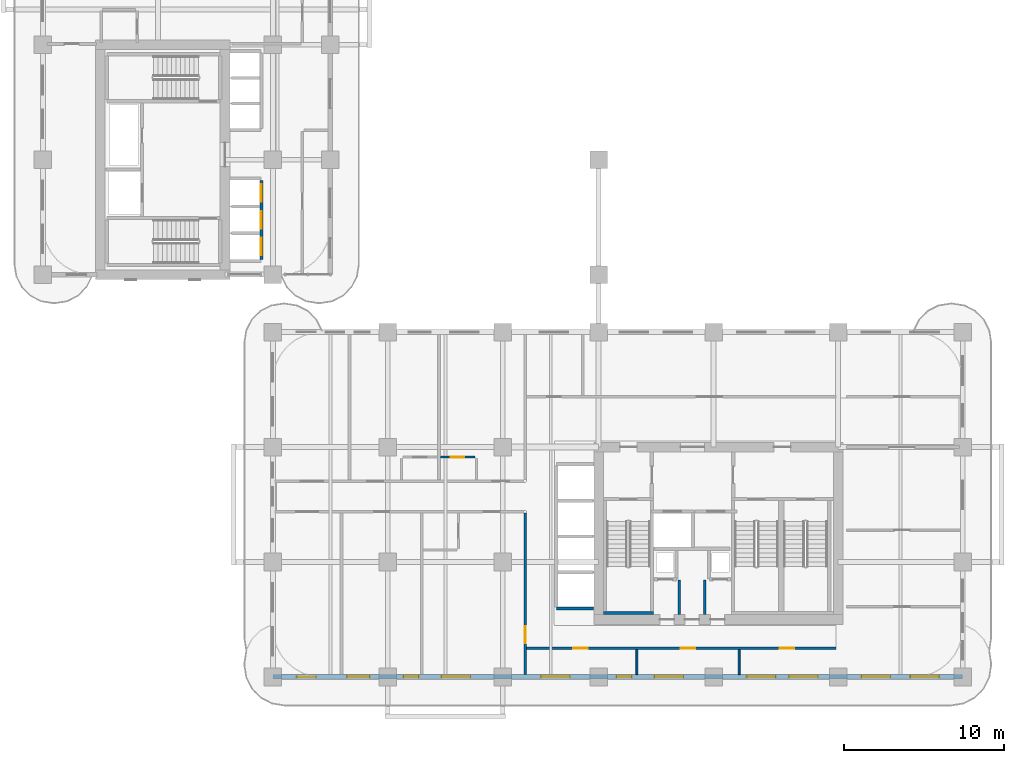
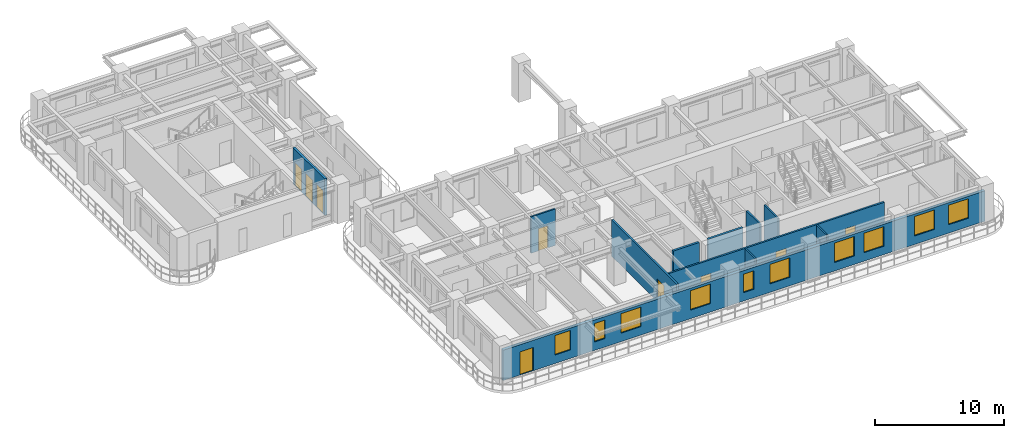
# One storey, part 7 of 18: 11 walls, 10 windows, 9 doors, 19 openings.
"""IFC4 building model written with IfcOpenShell, lengths in metres."""

from ifc_helpers import new_model, si_unit, derived_unit, direction, frame, frame_2d, origin, place, context, subcontext, project, spatial, rectangle, extrude, source, transform, mapped, material, layer, layer_set, type_object, type_shapes, element, fill, save


model = new_model("IFC4")

# Units and contexts
model_context = context("Model", 3, precision=1e-05, world=origin(), true_north=direction((0.0, 1.0)))
body_context = subcontext(model_context, "Body", "Model", "MODEL_VIEW")
ifc_project = project(units=[si_unit("LENGTHUNIT", "METRE"), si_unit("AREAUNIT", "SQUARE_METRE"), si_unit("VOLUMEUNIT", "CUBIC_METRE"), si_unit("PLANEANGLEUNIT", "RADIAN"), si_unit("MASSUNIT", "GRAM", prefix="KILO"), si_unit("THERMODYNAMICTEMPERATUREUNIT", "KELVIN"), si_unit("POWERUNIT", "WATT"), derived_unit("THERMALTRANSMITTANCEUNIT", [(si_unit("POWERUNIT", "WATT"), 1), (si_unit("AREAUNIT", "SQUARE_METRE"), -1), (si_unit("THERMODYNAMICTEMPERATUREUNIT", "KELVIN"), -1)])], contexts=[model_context])

# Site, building, storey
site_placement = place(None, origin())
site = spatial("IfcSite", under=ifc_project, at=site_placement, CompositionType="ELEMENT")
building_placement = place(site_placement, origin())
building = spatial("IfcBuilding", under=site, at=building_placement, Name="Zahravan Archway Hotel and Residences", CompositionType="ELEMENT")
storey_placement = place(building_placement, frame((0.0, 0.0, 50.89990234375)))
storey = spatial("IfcBuildingStorey", under=building, at=storey_placement, Name="L11", CompositionType="ELEMENT", Elevation=50.89990234375)

# Wall, openings, door, windows
ifc_material_1 = material(Name="Honed Red-Ochre Sandstone & Insulated Block", Category="masonry")
ifc_layer_1 = layer(ifc_material_1, 0.280029296875, Name="Honed Red-Ochre Sandstone & Insulated Block", Category="masonry")
ifc_layer_set_1 = layer_set([ifc_layer_1], Name="Honed Red-Ochre Sandstone & Insulated Block")
wall_type_1 = type_object("IfcWallType", Name="EW-LOG-280", PredefinedType="SOLIDWALL", material=ifc_layer_set_1)
wall_1_placement = place(storey_placement, frame((14.39990234375, 0.0, 0.0), z_axis=(0.0, 0.0, 1.0), x_axis=(1.0, 0.0, 0.0)))
wall_1 = element("IfcWall", 1, at=wall_1_placement, inside=storey, type_object=wall_type_1, Name="L11 Exterior Sandstone Wall WA-S", PredefinedType="SOLIDWALL", context=body_context, shape_type="SweptSolid", body=[
    extrude(rectangle(XDim=43.2001953125, YDim=0.280029296875, at=frame_2d((21.60009765625, 0.0))), origin(), (0.0, 0.0, 1.0), 2.885009765625),
])
opening_1_placement = place(wall_1_placement, frame((1.5, 0.0, 0.0)))
opening_1 = element("IfcOpeningElement", 2, at=opening_1_placement, cuts=wall_1, Name="Opening ED-BL1", PredefinedType="OPENING", context=body_context, shape_type="SweptSolid", body=[
    extrude(rectangle(XDim=1.199951171875, YDim=2.199951171875, at=frame_2d((0.60009765625, 1.10009765625))), frame((0.0, 0.14990234375, 0.0), z_axis=(0.0, -1.0, 0.0), x_axis=(1.0, 0.0, 0.0)), (0.0, 0.0, 1.0), 0.300048828125),
])
opening_2_placement = place(wall_1_placement, frame((4.654052734375, 0.0, 0.800048828125)))
opening_2 = element("IfcOpeningElement", 3, at=opening_2_placement, cuts=wall_1, Name="Opening W-03", PredefinedType="OPENING", context=body_context, shape_type="SweptSolid", body=[
    extrude(rectangle(XDim=1.39990234375, YDim=1.85009765625, at=frame_2d((0.699951171875, 0.925048828125))), frame((0.0, 0.14990234375, 0.0), z_axis=(0.0, -1.0, 0.0), x_axis=(1.0, 0.0, 0.0)), (0.0, 0.0, 1.0), 0.300048828125),
])
opening_3_placement = place(wall_1_placement, frame((8.180908203125, 0.0, 0.800048828125)))
opening_3 = element("IfcOpeningElement", 4, at=opening_3_placement, cuts=wall_1, Name="Opening W-04", PredefinedType="OPENING", context=body_context, shape_type="SweptSolid", body=[
    extrude(rectangle(XDim=0.949951171875, YDim=1.75, at=frame_2d((0.47509765625, 0.875))), frame((0.0, 0.14990234375, 0.0), z_axis=(0.0, -1.0, 0.0), x_axis=(1.0, 0.0, 0.0)), (0.0, 0.0, 1.0), 0.300048828125),
])
opening_4_placement = place(wall_1_placement, frame((10.56396484375, 0.0, 0.800048828125)))
opening_4 = element("IfcOpeningElement", 5, at=opening_4_placement, cuts=wall_1, Name="Opening W-02", PredefinedType="OPENING", context=body_context, shape_type="SweptSolid", body=[
    extrude(rectangle(XDim=1.800048828125, YDim=1.85009765625, at=frame_2d((0.89990234375, 0.925048828125))), frame((0.0, 0.14990234375, 0.0), z_axis=(0.0, -1.0, 0.0), x_axis=(1.0, 0.0, 0.0)), (0.0, 0.0, 1.0), 0.300048828125),
])
opening_5_placement = place(wall_1_placement, frame((16.803955078125, 0.0, 0.800048828125)))
opening_5 = element("IfcOpeningElement", 6, at=opening_5_placement, cuts=wall_1, Name="Opening W-02", PredefinedType="OPENING", context=body_context, shape_type="SweptSolid", body=[
    extrude(rectangle(XDim=1.800048828125, YDim=1.85009765625, at=frame_2d((0.89990234375, 0.925048828125))), frame((0.0, 0.14990234375, 0.0), z_axis=(0.0, -1.0, 0.0), x_axis=(1.0, 0.0, 0.0)), (0.0, 0.0, 1.0), 0.300048828125),
])
opening_6_placement = place(wall_1_placement, frame((21.52099609375, 0.0, 0.800048828125)))
opening_6 = element("IfcOpeningElement", 7, at=opening_6_placement, cuts=wall_1, Name="Opening W-04", PredefinedType="OPENING", context=body_context, shape_type="SweptSolid", body=[
    extrude(rectangle(XDim=0.949951171875, YDim=1.75, at=frame_2d((0.47509765625, 0.875))), frame((0.0, 0.14990234375, 0.0), z_axis=(0.0, -1.0, 0.0), x_axis=(1.0, 0.0, 0.0)), (0.0, 0.0, 1.0), 0.300048828125),
])
opening_7_placement = place(wall_1_placement, frame((23.904052734375, 0.0, 0.800048828125)))
opening_7 = element("IfcOpeningElement", 8, at=opening_7_placement, cuts=wall_1, Name="Opening W-02", PredefinedType="OPENING", context=body_context, shape_type="SweptSolid", body=[
    extrude(rectangle(XDim=1.800048828125, YDim=1.85009765625, at=frame_2d((0.89990234375, 0.925048828125))), frame((0.0, 0.14990234375, 0.0), z_axis=(0.0, -1.0, 0.0), x_axis=(1.0, 0.0, 0.0)), (0.0, 0.0, 1.0), 0.300048828125),
])
opening_8_placement = place(wall_1_placement, frame((29.680908203125, 0.0, 0.800048828125)))
opening_8 = element("IfcOpeningElement", 9, at=opening_8_placement, cuts=wall_1, Name="Opening W-02", PredefinedType="OPENING", context=body_context, shape_type="SweptSolid", body=[
    extrude(rectangle(XDim=1.800048828125, YDim=1.85009765625, at=frame_2d((0.89990234375, 0.925048828125))), frame((0.0, 0.14990234375, 0.0), z_axis=(0.0, -1.0, 0.0), x_axis=(1.0, 0.0, 0.0)), (0.0, 0.0, 1.0), 0.300048828125),
])
opening_9_placement = place(wall_1_placement, frame((32.326904296875, 0.0, 0.800048828125)))
opening_9 = element("IfcOpeningElement", 10, at=opening_9_placement, cuts=wall_1, Name="Opening W-02", PredefinedType="OPENING", context=body_context, shape_type="SweptSolid", body=[
    extrude(rectangle(XDim=1.800048828125, YDim=1.85009765625, at=frame_2d((0.89990234375, 0.925048828125))), frame((0.0, 0.14990234375, 0.0), z_axis=(0.0, -1.0, 0.0), x_axis=(1.0, 0.0, 0.0)), (0.0, 0.0, 1.0), 0.300048828125),
])
opening_10_placement = place(wall_1_placement, frame((36.875, 0.0, 0.800048828125)))
opening_10 = element("IfcOpeningElement", 11, at=opening_10_placement, cuts=wall_1, Name="Opening W-02", PredefinedType="OPENING", context=body_context, shape_type="SweptSolid", body=[
    extrude(rectangle(XDim=1.800048828125, YDim=1.85009765625, at=frame_2d((0.89990234375, 0.925048828125))), frame((0.0, 0.14990234375, 0.0), z_axis=(0.0, -1.0, 0.0), x_axis=(1.0, 0.0, 0.0)), (0.0, 0.0, 1.0), 0.300048828125),
])
opening_11_placement = place(wall_1_placement, frame((39.925048828125, 0.0, 0.800048828125)))
opening_11 = element("IfcOpeningElement", 12, at=opening_11_placement, cuts=wall_1, Name="Opening W-02", PredefinedType="OPENING", context=body_context, shape_type="SweptSolid", body=[
    extrude(rectangle(XDim=1.800048828125, YDim=1.85009765625, at=frame_2d((0.89990234375, 0.925048828125))), frame((0.0, 0.14990234375, 0.0), z_axis=(0.0, -1.0, 0.0), x_axis=(1.0, 0.0, 0.0)), (0.0, 0.0, 1.0), 0.300048828125),
])
ifc_material_2 = material(Name="Bronze-Anodized Glazed Aluminium", Category="aluminium")
door_type_1 = type_object("IfcDoorType", Name="ED-BALC-1200", OperationType="SLIDING_TO_LEFT", PredefinedType="DOOR", material=ifc_material_2)
shared_shape_1 = source(origin(), body_context, "Body", "SweptSolid", [
    extrude(rectangle(XDim=1.199951171875, YDim=2.199951171875, at=frame_2d((0.60009765625, 1.10009765625))), frame((0.0, 0.02490234375, 0.0), z_axis=(0.0, -1.0, 0.0), x_axis=(1.0, 0.0, 0.0)), (0.0, 0.0, 1.0), 0.050048828125),
])
type_shapes(door_type_1, [shared_shape_1])
door_1_placement = place(opening_1_placement, origin())
door_1 = element("IfcDoor", 13, at=door_1_placement, inside=storey, type_object=door_type_1, Name="L11 Outdoor Access Sliding Door (SLB-BAL-L11-SA)", OperationType="SLIDING_TO_LEFT", OverallHeight=2.199951171875, OverallWidth=1.199951171875, PredefinedType="DOOR", context=body_context, shape_type="MappedRepresentation", body=[
    mapped(shared_shape_1, transform((0.0, 0.0, 0.0), scale=1.0)),
])
fill(opening_1, door_1)
ifc_material_3 = material(Name="Bronze-Anodized Thermal-Break Aluminium & Low-E Glass", Category="aluminium")
window_type_1 = type_object("IfcWindowType", Name="WIN-TWR-1400", PartitioningType="SINGLE_PANEL", PredefinedType="WINDOW", material=ifc_material_3)
shared_shape_2 = source(origin(), body_context, "Body", "SweptSolid", [
    extrude(rectangle(XDim=1.39990234375, YDim=1.85009765625, at=frame_2d((0.699951171875, 0.925048828125))), frame((0.0, 0.030029296875, 0.0), z_axis=(0.0, -1.0, 0.0), x_axis=(1.0, 0.0, 0.0)), (0.0, 0.0, 1.0), 0.06005859375),
])
type_shapes(window_type_1, [shared_shape_2])
window_1_placement = place(opening_2_placement, origin())
window_1 = element("IfcWindow", 14, at=window_1_placement, inside=storey, type_object=window_type_1, Name="L11 Loggia Window 01", OverallHeight=1.85009765625, OverallWidth=1.39990234375, PartitioningType="SINGLE_PANEL", PredefinedType="WINDOW", context=body_context, shape_type="MappedRepresentation", body=[
    mapped(shared_shape_2, transform((0.0, 0.0, 0.0), scale=1.0)),
])
fill(opening_2, window_1)
window_type_2 = type_object("IfcWindowType", Name="WIN-NAR-950", PartitioningType="SINGLE_PANEL", PredefinedType="WINDOW", material=ifc_material_3)
shared_shape_3 = source(origin(), body_context, "Body", "SweptSolid", [
    extrude(rectangle(XDim=0.949951171875, YDim=1.75, at=frame_2d((0.47509765625, 0.875))), frame((0.0, 0.030029296875, 0.0), z_axis=(0.0, -1.0, 0.0), x_axis=(1.0, 0.0, 0.0)), (0.0, 0.0, 1.0), 0.06005859375),
])
type_shapes(window_type_2, [shared_shape_3])
window_2_placement = place(opening_3_placement, origin())
window_2 = element("IfcWindow", 15, at=window_2_placement, inside=storey, type_object=window_type_2, Name="L11 Loggia Window 02", OverallHeight=1.75, OverallWidth=0.949951171875, PartitioningType="SINGLE_PANEL", PredefinedType="WINDOW", context=body_context, shape_type="MappedRepresentation", body=[
    mapped(shared_shape_3, transform((0.0, 0.0, 0.0), scale=1.0)),
])
fill(opening_3, window_2)
window_3_placement = place(opening_6_placement, origin())
window_3 = element("IfcWindow", 16, at=window_3_placement, inside=storey, type_object=window_type_2, Name="L11 Loggia Window 05", OverallHeight=1.75, OverallWidth=0.949951171875, PartitioningType="SINGLE_PANEL", PredefinedType="WINDOW", context=body_context, shape_type="MappedRepresentation", body=[
    mapped(shared_shape_3, transform((0.0, 0.0, 0.0), scale=1.0)),
])
fill(opening_6, window_3)
window_type_3 = type_object("IfcWindowType", Name="WIN-TWR-1800", PartitioningType="DOUBLE_PANEL_VERTICAL", PredefinedType="WINDOW", material=ifc_material_3)
shared_shape_4 = source(origin(), body_context, "Body", "SweptSolid", [
    extrude(rectangle(XDim=1.800048828125, YDim=1.85009765625, at=frame_2d((0.89990234375, 0.925048828125))), frame((0.0, 0.030029296875, 0.0), z_axis=(0.0, -1.0, 0.0), x_axis=(1.0, 0.0, 0.0)), (0.0, 0.0, 1.0), 0.06005859375),
])
type_shapes(window_type_3, [shared_shape_4])
window_4_placement = place(opening_4_placement, origin())
window_4 = element("IfcWindow", 17, at=window_4_placement, inside=storey, type_object=window_type_3, Name="L11 Loggia Window 03", OverallHeight=1.85009765625, OverallWidth=1.800048828125, PartitioningType="DOUBLE_PANEL_VERTICAL", PredefinedType="WINDOW", context=body_context, shape_type="MappedRepresentation", body=[
    mapped(shared_shape_4, transform((0.0, 0.0, 0.0), scale=1.0)),
])
fill(opening_4, window_4)
window_5_placement = place(opening_5_placement, origin())
window_5 = element("IfcWindow", 18, at=window_5_placement, inside=storey, type_object=window_type_3, Name="L11 Loggia Window 04", OverallHeight=1.85009765625, OverallWidth=1.800048828125, PartitioningType="DOUBLE_PANEL_VERTICAL", PredefinedType="WINDOW", context=body_context, shape_type="MappedRepresentation", body=[
    mapped(shared_shape_4, transform((0.0, 0.0, 0.0), scale=1.0)),
])
fill(opening_5, window_5)
window_6_placement = place(opening_7_placement, origin())
window_6 = element("IfcWindow", 19, at=window_6_placement, inside=storey, type_object=window_type_3, Name="L11 Loggia Window 06", OverallHeight=1.85009765625, OverallWidth=1.800048828125, PartitioningType="DOUBLE_PANEL_VERTICAL", PredefinedType="WINDOW", context=body_context, shape_type="MappedRepresentation", body=[
    mapped(shared_shape_4, transform((0.0, 0.0, 0.0), scale=1.0)),
])
fill(opening_7, window_6)
window_7_placement = place(opening_8_placement, origin())
window_7 = element("IfcWindow", 20, at=window_7_placement, inside=storey, type_object=window_type_3, Name="L11 Loggia Window 07", OverallHeight=1.85009765625, OverallWidth=1.800048828125, PartitioningType="DOUBLE_PANEL_VERTICAL", PredefinedType="WINDOW", context=body_context, shape_type="MappedRepresentation", body=[
    mapped(shared_shape_4, transform((0.0, 0.0, 0.0), scale=1.0)),
])
fill(opening_8, window_7)
window_8_placement = place(opening_9_placement, origin())
window_8 = element("IfcWindow", 21, at=window_8_placement, inside=storey, type_object=window_type_3, Name="L11 Loggia Window 08", OverallHeight=1.85009765625, OverallWidth=1.800048828125, PartitioningType="DOUBLE_PANEL_VERTICAL", PredefinedType="WINDOW", context=body_context, shape_type="MappedRepresentation", body=[
    mapped(shared_shape_4, transform((0.0, 0.0, 0.0), scale=1.0)),
])
fill(opening_9, window_8)
window_9_placement = place(opening_10_placement, origin())
window_9 = element("IfcWindow", 22, at=window_9_placement, inside=storey, type_object=window_type_3, Name="L11 Loggia Window 09", OverallHeight=1.85009765625, OverallWidth=1.800048828125, PartitioningType="DOUBLE_PANEL_VERTICAL", PredefinedType="WINDOW", context=body_context, shape_type="MappedRepresentation", body=[
    mapped(shared_shape_4, transform((0.0, 0.0, 0.0), scale=1.0)),
])
fill(opening_10, window_9)
window_10_placement = place(opening_11_placement, origin())
window_10 = element("IfcWindow", 23, at=window_10_placement, inside=storey, type_object=window_type_3, Name="L11 Loggia Window 10", OverallHeight=1.85009765625, OverallWidth=1.800048828125, PartitioningType="DOUBLE_PANEL_VERTICAL", PredefinedType="WINDOW", context=body_context, shape_type="MappedRepresentation", body=[
    mapped(shared_shape_4, transform((0.0, 0.0, 0.0), scale=1.0)),
])
fill(opening_11, window_10)

# Wall, opening, door
ifc_material_4 = material(Name="Fire-Rated Gypsum & Concrete Block", Category="concrete")
ifc_layer_2 = layer(ifc_material_4, 0.159912109375, Name="Fire-Rated Gypsum & Concrete Block", Category="concrete")
ifc_layer_set_2 = layer_set([ifc_layer_2], Name="Fire-Rated Gypsum & Concrete Block")
wall_type_2 = type_object("IfcWallType", Name="PW-CORR-160", PredefinedType="PARTITIONING", material=ifc_layer_set_2)
wall_2_placement = place(storey_placement, frame((30.199951171875, 0.14794921875, 0.0), z_axis=(0.0, 0.0, 1.0), x_axis=(0.0, 1.0, 0.0)))
wall_2 = element("IfcWall", 24, at=wall_2_placement, inside=storey, type_object=wall_type_2, Name="L11 Partition WA-SRW", PredefinedType="PARTITIONING", context=body_context, shape_type="SweptSolid", body=[
    extrude(rectangle(XDim=10.112060546875, YDim=0.159912109375, at=frame_2d((5.05615234375, 0.0))), origin(), (0.0, 0.0, 1.0), 3.4501953125),
])
opening_12_placement = place(wall_2_placement, frame((1.97705078125, 0.0, 0.0)))
opening_12 = element("IfcOpeningElement", 25, at=opening_12_placement, cuts=wall_2, Name="Opening FD-L2", PredefinedType="OPENING", context=body_context, shape_type="SweptSolid", body=[
    extrude(rectangle(XDim=1.050048828125, YDim=2.14990234375, at=frame_2d((0.52490234375, 1.074951171875))), frame((0.0, 0.08984375, 0.0), z_axis=(0.0, -1.0, 0.0), x_axis=(1.0, 0.0, 0.0)), (0.0, 0.0, 1.0), 0.179931640625),
])
ifc_material_5 = material(Name="Fire-Rated Painted Steel", Category="steel")
door_type_2 = type_object("IfcDoorType", Name="FD-LOBBY-1100", OperationType="NOTDEFINED", PredefinedType="DOOR", material=ifc_material_5)
shared_shape_5 = source(origin(), body_context, "Body", "SweptSolid", [
    extrude(rectangle(XDim=1.050048828125, YDim=2.14990234375, at=frame_2d((0.52490234375, 1.074951171875))), frame((0.0, 0.02490234375, 0.0), z_axis=(0.0, -1.0, 0.0), x_axis=(1.0, 0.0, 0.0)), (0.0, 0.0, 1.0), 0.050048828125),
])
type_shapes(door_type_2, [shared_shape_5])
door_2_placement = place(opening_12_placement, origin())
door_2 = element("IfcDoor", 26, at=door_2_placement, inside=storey, type_object=door_type_2, Name="L11 South Riser Corridor Door", OperationType="SINGLE_SWING_RIGHT", OverallHeight=2.14990234375, OverallWidth=1.050048828125, PredefinedType="DOOR", context=body_context, shape_type="MappedRepresentation", body=[
    mapped(shared_shape_5, transform((0.0, 0.0, 0.0), scale=1.0)),
])
fill(opening_12, door_2)

# Wall, openings, doors
wall_3_placement = place(storey_placement, frame((30.2900390625, 1.800048828125, 0.0), z_axis=(0.0, 0.0, 1.0), x_axis=(1.0, 0.0, 0.0)))
wall_3 = element("IfcWall", 27, at=wall_3_placement, inside=storey, type_object=wall_type_2, Name="L11 Partition WA-SRS", PredefinedType="PARTITIONING", context=body_context, shape_type="SweptSolid", body=[
    extrude(rectangle(XDim=19.369873046875, YDim=0.159912109375, at=frame_2d((9.68505859375, 0.0))), origin(), (0.0, 0.0, 1.0), 3.4501953125),
])
opening_13_placement = place(wall_3_placement, frame((2.916259765625, 0.0, 0.0)))
opening_13 = element("IfcOpeningElement", 28, at=opening_13_placement, cuts=wall_3, Name="Opening D-I2", PredefinedType="OPENING", context=body_context, shape_type="SweptSolid", body=[
    extrude(rectangle(XDim=0.89990234375, YDim=2.14990234375, at=frame_2d((0.449951171875, 1.074951171875))), frame((0.0, 0.08984375, 0.0), z_axis=(0.0, -1.0, 0.0), x_axis=(1.0, 0.0, 0.0)), (0.0, 0.0, 1.0), 0.179931640625),
])
opening_14_placement = place(wall_3_placement, frame((9.659912109375, 0.0, 0.0)))
opening_14 = element("IfcOpeningElement", 29, at=opening_14_placement, cuts=wall_3, Name="Opening D-I2", PredefinedType="OPENING", context=body_context, shape_type="SweptSolid", body=[
    extrude(rectangle(XDim=0.89990234375, YDim=2.14990234375, at=frame_2d((0.449951171875, 1.074951171875))), frame((0.0, 0.08984375, 0.0), z_axis=(0.0, -1.0, 0.0), x_axis=(1.0, 0.0, 0.0)), (0.0, 0.0, 1.0), 0.179931640625),
])
opening_15_placement = place(wall_3_placement, frame((15.860107421875, 0.0, 0.0)))
opening_15 = element("IfcOpeningElement", 30, at=opening_15_placement, cuts=wall_3, Name="Opening D-I2", PredefinedType="OPENING", context=body_context, shape_type="SweptSolid", body=[
    extrude(rectangle(XDim=0.89990234375, YDim=2.14990234375, at=frame_2d((0.449951171875, 1.074951171875))), frame((0.0, 0.08984375, 0.0), z_axis=(0.0, -1.0, 0.0), x_axis=(1.0, 0.0, 0.0)), (0.0, 0.0, 1.0), 0.179931640625),
])
ifc_material_6 = material(Name="Hardwood Veneer Timber", Category="wood")
door_type_3 = type_object("IfcDoorType", Name="ID-INT-900", OperationType="NOTDEFINED", PredefinedType="DOOR", material=ifc_material_6)
shared_shape_6 = source(origin(), body_context, "Body", "SweptSolid", [
    extrude(rectangle(XDim=0.89990234375, YDim=2.14990234375, at=frame_2d((0.449951171875, 1.074951171875))), frame((0.0, 0.02490234375, 0.0), z_axis=(0.0, -1.0, 0.0), x_axis=(1.0, 0.0, 0.0)), (0.0, 0.0, 1.0), 0.050048828125),
])
type_shapes(door_type_3, [shared_shape_6])
door_3_placement = place(opening_13_placement, origin())
door_3 = element("IfcDoor", 31, at=door_3_placement, inside=storey, type_object=door_type_3, Name="L11 South Office Door", OperationType="SINGLE_SWING_LEFT", OverallHeight=2.14990234375, OverallWidth=0.89990234375, PredefinedType="DOOR", context=body_context, shape_type="MappedRepresentation", body=[
    mapped(shared_shape_6, transform((0.0, 0.0, 0.0), scale=1.0)),
])
fill(opening_13, door_3)
door_4_placement = place(opening_14_placement, origin())
door_4 = element("IfcDoor", 32, at=door_4_placement, inside=storey, type_object=door_type_3, Name="L11 South Meeting Door", OperationType="SINGLE_SWING_RIGHT", OverallHeight=2.14990234375, OverallWidth=0.89990234375, PredefinedType="DOOR", context=body_context, shape_type="MappedRepresentation", body=[
    mapped(shared_shape_6, transform((0.0, 0.0, 0.0), scale=1.0)),
])
fill(opening_14, door_4)
door_5_placement = place(opening_15_placement, origin())
door_5 = element("IfcDoor", 33, at=door_5_placement, inside=storey, type_object=door_type_3, Name="L11 South Prayer Alcove Door", OperationType="SINGLE_SWING_LEFT", OverallHeight=2.14990234375, OverallWidth=0.89990234375, PredefinedType="DOOR", context=body_context, shape_type="MappedRepresentation", body=[
    mapped(shared_shape_6, transform((0.0, 0.0, 0.0), scale=1.0)),
])
fill(opening_15, door_5)

# Walls
ifc_material_7 = material(Name="Acoustic Stud Partition")
ifc_layer_3 = layer(ifc_material_7, 0.125, Name="Acoustic Stud Partition")
ifc_layer_set_3 = layer_set([ifc_layer_3], Name="Acoustic Stud Partition")
wall_type_3 = type_object("IfcWallType", Name="PW-INT-125", PredefinedType="PARTITIONING", material=ifc_layer_set_3)
for number, where, z_axis, x_axis, name in (
    (34, (37.199951171875, 0.14794921875, 0.0), (0.0, 0.0, 1.0), (0.0, 1.0, 0.0), "L11 Partition S-DIV2A"),
    (35, (43.60009765625, 0.14794921875, 0.0), (0.0, 0.0, 1.0), (0.0, 1.0, 0.0), "L11 Partition S-DIV2B"),
):
    element("IfcWall", number, at=place(storey_placement, frame(where, z_axis=z_axis, x_axis=x_axis)), inside=storey, type_object=wall_type_3, Name=name, PredefinedType="PARTITIONING", context=body_context, shape_type="SweptSolid", body=[
        extrude(rectangle(XDim=1.56201171875, YDim=0.125, at=frame_2d((0.781005859375, 0.0))), origin(), (0.0, 0.0, 1.0), 3.4501953125),
    ])
ifc_layer_4 = layer(ifc_material_4, 0.199951171875, Name="Fire-Rated Gypsum & Concrete Block", Category="concrete")
ifc_layer_set_4 = layer_set([ifc_layer_4], Name="Fire-Rated Gypsum & Concrete Block")
wall_type_4 = type_object("IfcWallType", Name="PW-SHAFT-200", PredefinedType="PARTITIONING", material=ifc_layer_set_4)
wall_4_placement = place(storey_placement, frame((32.159912109375, 4.280029296875, 0.0), z_axis=(0.0, 0.0, 1.0), x_axis=(1.0, 0.0, 0.0)))
element("IfcWall", 36, at=wall_4_placement, inside=storey, type_object=wall_type_4, Name="L11 Partition B3-S", PredefinedType="PARTITIONING", context=body_context, shape_type="SweptSolid", body=[
    extrude(rectangle(XDim=2.31005859375, YDim=0.199951171875, at=frame_2d((1.155029296875, 0.0))), origin(), (0.0, 0.0, 1.0), 3.4501953125),
])

# Wall, openings, doors
wall_5_placement = place(storey_placement, frame((13.679931640625, 26.159912109375, 0.0), z_axis=(0.0, 0.0, 1.0), x_axis=(0.0, 1.0, 0.0)))
wall_5 = element("IfcWall", 37, at=wall_5_placement, inside=storey, type_object=wall_type_4, Name="L11 Partition B1-E", PredefinedType="PARTITIONING", context=body_context, shape_type="SweptSolid", body=[
    extrude(rectangle(XDim=4.940185546875, YDim=0.199951171875, at=frame_2d((2.47021484375, 0.0))), origin(), (0.0, 0.0, 1.0), 3.4501953125),
])
opening_16_placement = place(wall_5_placement, frame((0.239990234375, 0.0, 0.0)))
opening_16 = element("IfcOpeningElement", 38, at=opening_16_placement, cuts=wall_5, Name="Opening LD", PredefinedType="OPENING", context=body_context, shape_type="SweptSolid", body=[
    extrude(rectangle(XDim=1.10009765625, YDim=2.199951171875, at=frame_2d((0.550048828125, 1.10009765625))), frame((0.0, 0.10986328125, 0.0), z_axis=(0.0, -1.0, 0.0), x_axis=(1.0, 0.0, 0.0)), (0.0, 0.0, 1.0), 0.219970703125),
])
opening_17_placement = place(wall_5_placement, frame((1.919921875, 0.0, 0.0)))
opening_17 = element("IfcOpeningElement", 39, at=opening_17_placement, cuts=wall_5, Name="Opening LD", PredefinedType="OPENING", context=body_context, shape_type="SweptSolid", body=[
    extrude(rectangle(XDim=1.10009765625, YDim=2.199951171875, at=frame_2d((0.550048828125, 1.10009765625))), frame((0.0, 0.10986328125, 0.0), z_axis=(0.0, -1.0, 0.0), x_axis=(1.0, 0.0, 0.0)), (0.0, 0.0, 1.0), 0.219970703125),
])
opening_18_placement = place(wall_5_placement, frame((3.60009765625, 0.0, 0.0)))
opening_18 = element("IfcOpeningElement", 40, at=opening_18_placement, cuts=wall_5, Name="Opening LD", PredefinedType="OPENING", context=body_context, shape_type="SweptSolid", body=[
    extrude(rectangle(XDim=1.10009765625, YDim=2.199951171875, at=frame_2d((0.550048828125, 1.10009765625))), frame((0.0, 0.10986328125, 0.0), z_axis=(0.0, -1.0, 0.0), x_axis=(1.0, 0.0, 0.0)), (0.0, 0.0, 1.0), 0.219970703125),
])
ifc_material_8 = material(Name="Brushed Stainless Steel", Category="steel")
door_type_4 = type_object("IfcDoorType", Name="DR-LIFT-LD", OperationType="SLIDING_TO_LEFT", PredefinedType="DOOR", material=ifc_material_8)
shared_shape_7 = source(origin(), body_context, "Body", "SweptSolid", [
    extrude(rectangle(XDim=1.10009765625, YDim=2.199951171875, at=frame_2d((0.550048828125, 1.10009765625))), frame((0.0, 0.02490234375, 0.0), z_axis=(0.0, -1.0, 0.0), x_axis=(1.0, 0.0, 0.0)), (0.0, 0.0, 1.0), 0.050048828125),
])
type_shapes(door_type_4, [shared_shape_7])
door_6_placement = place(opening_16_placement, origin())
door_6 = element("IfcDoor", 41, at=door_6_placement, inside=storey, type_object=door_type_4, Name="L11 Lift LP-1 Sliding Landing Door", OperationType="SLIDING_TO_LEFT", OverallHeight=2.199951171875, OverallWidth=1.10009765625, PredefinedType="DOOR", context=body_context, shape_type="MappedRepresentation", body=[
    mapped(shared_shape_7, transform((0.0, 0.0, 0.0), scale=1.0)),
])
fill(opening_16, door_6)
door_7_placement = place(opening_17_placement, origin())
door_7 = element("IfcDoor", 42, at=door_7_placement, inside=storey, type_object=door_type_4, Name="L11 Lift LP-2 Sliding Landing Door", OperationType="SLIDING_TO_LEFT", OverallHeight=2.199951171875, OverallWidth=1.10009765625, PredefinedType="DOOR", context=body_context, shape_type="MappedRepresentation", body=[
    mapped(shared_shape_7, transform((0.0, 0.0, 0.0), scale=1.0)),
])
fill(opening_17, door_7)
door_8_placement = place(opening_18_placement, origin())
door_8 = element("IfcDoor", 43, at=door_8_placement, inside=storey, type_object=door_type_4, Name="L11 Lift LP-3 Sliding Landing Door", OperationType="SLIDING_TO_LEFT", OverallHeight=2.199951171875, OverallWidth=1.10009765625, PredefinedType="DOOR", context=body_context, shape_type="MappedRepresentation", body=[
    mapped(shared_shape_7, transform((0.0, 0.0, 0.0), scale=1.0)),
])
fill(opening_18, door_8)

# Walls
ifc_material_9 = material(Name="Moisture-Resistant Blockwork", Category="masonry")
ifc_layer_5 = layer(ifc_material_9, 0.139892578125, Name="Moisture-Resistant Blockwork", Category="masonry")
ifc_layer_set_5 = layer_set([ifc_layer_5], Name="Moisture-Resistant Blockwork")
wall_type_5 = type_object("IfcWallType", Name="PW-WET-140", PredefinedType="PARTITIONING", material=ifc_layer_set_5)
for number, where, z_axis, x_axis, name in (
    (44, (39.85009765625, 3.919921875, 0.0), (0.0, 0.0, 1.0), (0.0, 1.0, 0.0), "L11 Partition CA-CV1A"),
    (45, (41.449951171875, 3.919921875, 0.0), (0.0, 0.0, 1.0), (0.0, 1.0, 0.0), "L11 Partition CA-CV1B"),
):
    element("IfcWall", number, at=place(storey_placement, frame(where, z_axis=z_axis, x_axis=x_axis)), inside=storey, type_object=wall_type_5, Name=name, PredefinedType="PARTITIONING", context=body_context, shape_type="SweptSolid", body=[
        extrude(rectangle(XDim=2.16015625, YDim=0.139892578125, at=frame_2d((1.080078125, 0.0))), origin(), (0.0, 0.0, 1.0), 3.4501953125),
    ])

# Wall, opening, door
wall_6_placement = place(storey_placement, frame((24.889892578125, 13.77001953125, 0.0), z_axis=(0.0, 0.0, 1.0), x_axis=(1.0, 0.0, 0.0)))
wall_6 = element("IfcWall", 46, at=wall_6_placement, inside=storey, type_object=wall_type_5, Name="L11 Partition HKB-H44", PredefinedType="PARTITIONING", context=body_context, shape_type="SweptSolid", body=[
    extrude(rectangle(XDim=2.170166015625, YDim=0.139892578125, at=frame_2d((1.0849609375, 0.0))), origin(), (0.0, 0.0, 1.0), 3.4501953125),
])
opening_19_placement = place(wall_6_placement, frame((0.659912109375, 0.0, 0.0)))
opening_19 = element("IfcOpeningElement", 47, at=opening_19_placement, cuts=wall_6, Name="Opening D-B1", PredefinedType="OPENING", context=body_context, shape_type="SweptSolid", body=[
    extrude(rectangle(XDim=0.85009765625, YDim=2.10009765625, at=frame_2d((0.425048828125, 1.050048828125))), frame((0.0, 0.080078125, 0.0), z_axis=(0.0, -1.0, 0.0), x_axis=(1.0, 0.0, 0.0)), (0.0, 0.0, 1.0), 0.159912109375),
])
door_type_5 = type_object("IfcDoorType", Name="ID-BATH-850", OperationType="NOTDEFINED", PredefinedType="DOOR", material=ifc_material_6)
shared_shape_8 = source(origin(), body_context, "Body", "SweptSolid", [
    extrude(rectangle(XDim=0.85009765625, YDim=2.10009765625, at=frame_2d((0.425048828125, 1.050048828125))), frame((0.0, 0.02490234375, 0.0), z_axis=(0.0, -1.0, 0.0), x_axis=(1.0, 0.0, 0.0)), (0.0, 0.0, 1.0), 0.050048828125),
])
type_shapes(door_type_5, [shared_shape_8])
door_9_placement = place(opening_19_placement, origin())
door_9 = element("IfcDoor", 48, at=door_9_placement, inside=storey, type_object=door_type_5, Name="L11 Guestroom 44 En-Suite Door", OperationType="SINGLE_SWING_LEFT", OverallHeight=2.10009765625, OverallWidth=0.85009765625, PredefinedType="DOOR", context=body_context, shape_type="MappedRepresentation", body=[
    mapped(shared_shape_8, transform((0.0, 0.0, 0.0), scale=1.0)),
])
fill(opening_19, door_9)

# Wall
ifc_material_10 = material(Name="Concrete C50/60", Category="concrete")
ifc_layer_6 = layer(ifc_material_10, 0.199951171875, Name="Concrete C50/60", Category="concrete")
ifc_layer_set_6 = layer_set([ifc_layer_6], Name="Concrete C50/60")
wall_type_6 = type_object("IfcWallType", Name="SW-STAIR-200", PredefinedType="SHEAR", material=ifc_layer_set_6)
wall_7_placement = place(storey_placement, frame((35.10009765625, 4.0, 0.0), z_axis=(0.0, 0.0, 1.0), x_axis=(1.0, 0.0, 0.0)))
element("IfcWall", 49, at=wall_7_placement, inside=storey, type_object=wall_type_6, Name="L11 Stairwell RC Wall CA-SA1S", PredefinedType="SHEAR", context=body_context, shape_type="SweptSolid", body=[
    extrude(rectangle(XDim=3.139892578125, YDim=0.199951171875, at=frame_2d((1.56982421875, 0.0))), origin(), (0.0, 0.0, 1.0), 3.7001953125),
])

save(model, "model.ifc")
